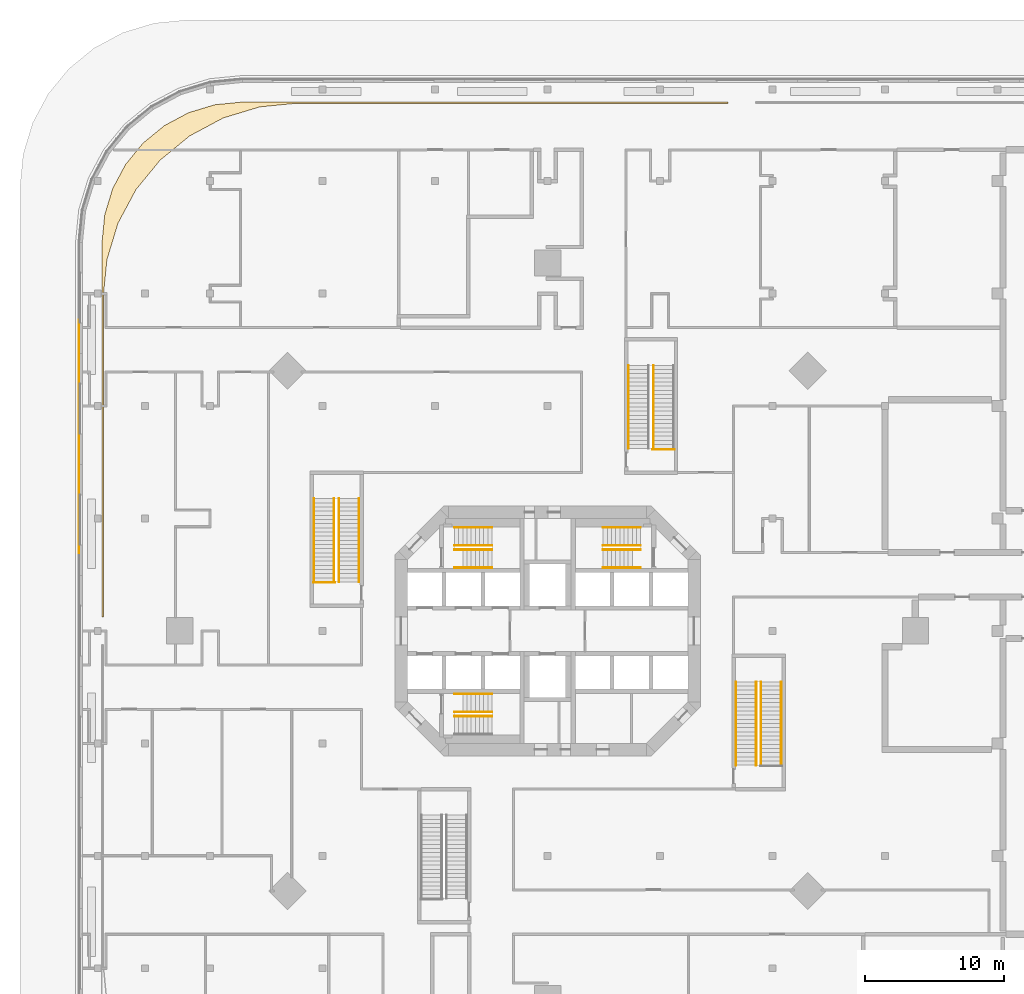
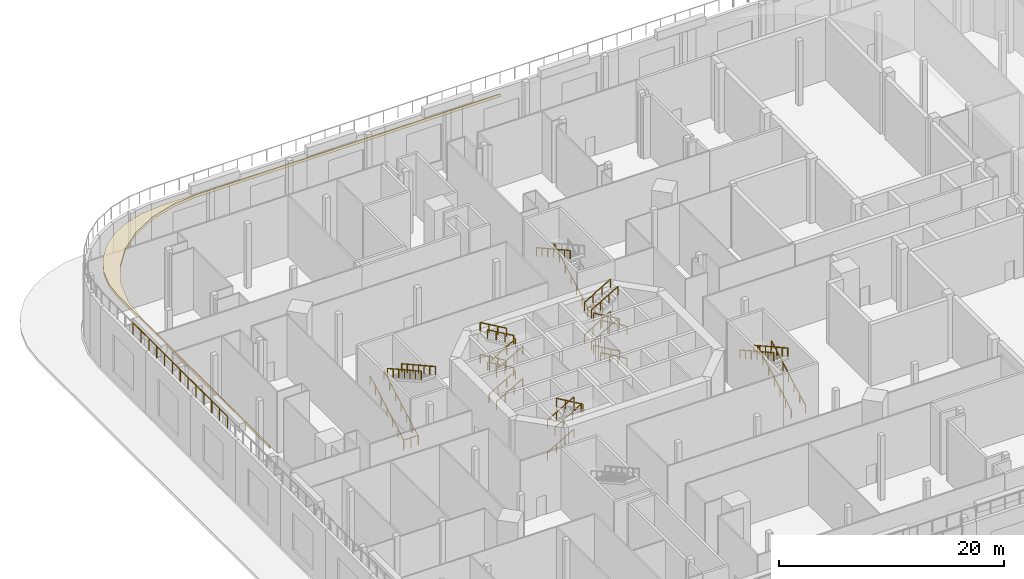
# One storey, part 19 of 21: 35 railings, 1 covering, 3 elements without a shape of their own.
"""IFC4 building model written with IfcOpenShell, lengths in metres."""

import ifcopenshell
import ifcopenshell.guid

model = None  # the IFC model being written
_history = None  # IfcOwnerHistory: only IFC2X3 demands one
_inside = {}  # id of a spatial element -> (the spatial element, [elements in it])
_under = {}  # id of a project, library or spatial element -> (it, [spatial elements below it])
_declared = {}  # id of a project -> (the project, [libraries it declares])
_typed = {}  # id of a type object -> (the type object, [elements of that type])
_made_of = {}  # id of a material, layer set ... -> (it, [elements and type objects made of it])


def new_model(schema):
    """Start an empty IFC model of exactly this schema.

    Asked for "IFC4X3", IfcOpenShell would pick the latest addendum, in which some entities
    have other attributes; the version numbers below select the first issue.
    IFC2X3 requires an IfcOwnerHistory on every rooted entity: one is made here for all.
    """
    global model, _history
    if schema == "IFC4X3":
        model = ifcopenshell.file(schema_version=(4, 3, 0, 0))
    else:
        model = ifcopenshell.file(schema=schema)
    _inside.clear()
    _under.clear()
    _declared.clear()
    _typed.clear()
    _made_of.clear()
    _history = None
    if model.schema == "IFC2X3":
        org = make("IfcOrganization", Name="unknown")
        user = make(
            "IfcPersonAndOrganization",
            ThePerson=make("IfcPerson", FamilyName="unknown"),
            TheOrganization=org,
        )
        app = make(
            "IfcApplication",
            ApplicationDeveloper=org,
            Version="unknown",
            ApplicationFullName="unknown",
            ApplicationIdentifier="unknown",
        )
        _history = make(
            "IfcOwnerHistory",
            OwningUser=user,
            OwningApplication=app,
            ChangeAction="ADDED",
            CreationDate=0,
        )
    return model


def make(cls, **values):
    """One entity of the class cls with the attributes given. An attribute that is None is left unset."""
    return model.create_entity(
        cls, **{name: value for name, value in values.items() if value is not None}
    )


def rooted(cls, **values):
    """An entity with a GlobalId (a new one), such as an element, a storey or a relation."""
    return make(cls, GlobalId=ifcopenshell.guid.new(), OwnerHistory=_history, **values)


def si_unit(unit_type, name, prefix=None):
    """IfcSIUnit, for example si_unit("LENGTHUNIT", "METRE", prefix="MILLI")."""
    return make("IfcSIUnit", UnitType=unit_type, Prefix=prefix, Name=name)


def assignment(units):
    """IfcUnitAssignment: the units of a project."""
    return None if units is None else make("IfcUnitAssignment", Units=units)


def point(xyz):
    """IfcCartesianPoint."""
    return None if xyz is None else make("IfcCartesianPoint", Coordinates=xyz)


def direction(xyz):
    """IfcDirection."""
    return None if xyz is None else make("IfcDirection", DirectionRatios=xyz)


def frame(location, z_axis=None, x_axis=None):
    """IfcAxis2Placement3D, a coordinate frame: its origin and axes. An axis left out is left unset."""
    return make(
        "IfcAxis2Placement3D",
        Location=point(location),
        Axis=direction(z_axis),
        RefDirection=direction(x_axis),
    )


def frame_2d(location, x_axis=None):
    """IfcAxis2Placement2D, a coordinate frame in the plane: its origin and x axis."""
    return make(
        "IfcAxis2Placement2D", Location=point(location), RefDirection=direction(x_axis)
    )


def origin():
    """The frame at (0, 0, 0) with its axes left unset."""
    return frame((0.0, 0.0, 0.0))


def origin_2d():
    """The frame at (0, 0) in the plane with its x axis left unset."""
    return frame_2d((0.0, 0.0))


def place(relative_to, where):
    """IfcLocalPlacement: puts the frame where relative to a parent placement (None: the world)."""
    return make(
        "IfcLocalPlacement", PlacementRelTo=relative_to, RelativePlacement=where
    )


def context(
    kind, dimensions, precision=None, world=None, true_north=None, identifier=None
):
    """IfcGeometricRepresentationContext, for example the 3D "Model" context."""
    return make(
        "IfcGeometricRepresentationContext",
        ContextIdentifier=identifier,
        ContextType=kind,
        CoordinateSpaceDimension=dimensions,
        Precision=precision,
        WorldCoordinateSystem=world,
        TrueNorth=true_north,
    )


def subcontext(parent, identifier, kind, view, scale=None):
    """IfcGeometricRepresentationSubContext, for example "Body" below "Model"."""
    return make(
        "IfcGeometricRepresentationSubContext",
        ContextIdentifier=identifier,
        ContextType=kind,
        ParentContext=parent,
        TargetScale=scale,
        TargetView=view,
    )


def project(units=None, contexts=None):
    """IfcProject with its units and contexts."""
    return rooted(
        "IfcProject",
        Name="project",
        RepresentationContexts=contexts,
        UnitsInContext=assignment(units),
    )


def spatial(cls, under=None, at=None, **own):
    """A site, building, storey or space (cls), placed at a placement, below another one or the project."""
    s = rooted(cls, ObjectPlacement=at, **own)
    if under is not None:
        _under.setdefault(under.id(), (under, []))[1].append(s)
    return s


def polyline(points):
    """IfcPolyline through the points."""
    return make("IfcPolyline", Points=[point(p) for p in points])


def profile(cls, at=None, kind="AREA", **sizes):
    """A parametric profile (cls). Its sizes go by their IFC names, for example OverallWidth=200.0."""
    return make(cls, ProfileType=kind, Position=at, **sizes)


def rectangle(**sizes):
    """IfcRectangleProfileDef."""
    return profile("IfcRectangleProfileDef", **sizes)


def outline(outer, holes=None, kind="AREA"):
    """IfcArbitraryClosedProfileDef: a profile drawn as a closed curve; with holes, ...WithVoids."""
    if holes is None:
        return make("IfcArbitraryClosedProfileDef", ProfileType=kind, OuterCurve=outer)
    return make(
        "IfcArbitraryProfileDefWithVoids",
        ProfileType=kind,
        OuterCurve=outer,
        InnerCurves=holes,
    )


def extrude(swept, where, along, depth):
    """IfcExtrudedAreaSolid: the profile swept, set in the frame where, extruded along a direction by depth."""
    return make(
        "IfcExtrudedAreaSolid",
        SweptArea=swept,
        Position=where,
        ExtrudedDirection=direction(along),
        Depth=depth,
    )


def shape(context_of_items, identifier, shape_type, items):
    """IfcShapeRepresentation: the items that make up one representation, for example the "Body"."""
    return make(
        "IfcShapeRepresentation",
        ContextOfItems=context_of_items,
        RepresentationIdentifier=identifier,
        RepresentationType=shape_type,
        Items=items,
    )


def material(Name=None, Category=None):
    """IfcMaterial."""
    return make("IfcMaterial", Name=Name, Category=Category)


def layer(
    of_material, thickness, ventilated=None, Name=None, Category=None, Priority=None
):
    """IfcMaterialLayer: one layer of a wall or slab, of a material (None: an air gap)."""
    return make(
        "IfcMaterialLayer",
        Material=of_material,
        LayerThickness=thickness,
        IsVentilated=ventilated,
        Name=Name,
        Category=Category,
        Priority=Priority,
    )


def layer_set(layers, Name=None):
    """IfcMaterialLayerSet."""
    return make("IfcMaterialLayerSet", MaterialLayers=layers, LayerSetName=Name)


def made_of(thing, what):
    """Note that an element or type object is made of a material, layer set ...; save() writes the relation."""
    if what is not None:
        _made_of.setdefault(what.id(), (what, []))[1].append(thing)
    return thing


def type_object(cls, material=None, **own):
    """A type object (cls), such as IfcWallType, which elements share."""
    return made_of(rooted(cls, **own), material)


def element(
    cls,
    number,
    at=None,
    inside=None,
    cuts=None,
    type_object=None,
    material=None,
    context=None,
    identifier="Body",
    shape_type=None,
    held_by="IfcProductDefinitionShape",
    body=None,
    shapes=None,
    **own,
):
    """One element of the class cls, such as IfcWall. Its Tag is "e" and its number.

    at: its placement. inside: the storey or other place that contains it. cuts: it is an
    opening in that element (IfcRelVoidsElement). A single representation is given by context,
    identifier, shape_type and body (its items); several are given by shapes. held_by: the class
    of the entity that holds the representations. save() writes the other relations.
    """
    e = rooted(cls, Tag="e%d" % number, ObjectPlacement=at, **own)
    if body is not None:
        shapes = [shape(context, identifier, shape_type, body)]
    if shapes is not None:
        e.Representation = make(held_by, Representations=shapes)
    if inside is not None:
        _inside.setdefault(inside.id(), (inside, []))[1].append(e)
    if cuts is not None:
        rooted(
            "IfcRelVoidsElement", RelatingBuildingElement=cuts, RelatedOpeningElement=e
        )
    if type_object is not None:
        _typed.setdefault(type_object.id(), (type_object, []))[1].append(e)
    return made_of(e, material)


def aggregate(whole, parts):
    """IfcRelAggregates: a whole, such as a stair, and the parts it consists of."""
    return rooted("IfcRelAggregates", RelatingObject=whole, RelatedObjects=parts)


def save(model, path):
    """Write the relations noted so far, then the file.

    IfcRelAggregates (storeys below a building ...), IfcRelContainedInSpatialStructure (elements
    in a storey), IfcRelDefinesByType, IfcRelAssociatesMaterial and IfcRelDeclares: one each for
    every whole, place, type object, material and project.
    """
    for whole, parts in _under.values():
        aggregate(whole, parts)
    for where, things in _inside.values():
        rooted(
            "IfcRelContainedInSpatialStructure",
            RelatedElements=things,
            RelatingStructure=where,
        )
    for kind, things in _typed.values():
        rooted("IfcRelDefinesByType", RelatedObjects=things, RelatingType=kind)
    for what, things in _made_of.values():
        rooted("IfcRelAssociatesMaterial", RelatedObjects=things, RelatingMaterial=what)
    for by, libraries in _declared.values():
        rooted("IfcRelDeclares", RelatingContext=by, RelatedDefinitions=libraries)
    model.write(path)


model = new_model("IFC4")

# Units and contexts
model_context = context("Model", 3, precision=1e-05, world=origin(), true_north=direction((0.0, 1.0)))
body_context = subcontext(model_context, "Body", "Model", "MODEL_VIEW")
ifc_project = project(units=[si_unit("LENGTHUNIT", "METRE"), si_unit("AREAUNIT", "SQUARE_METRE"), si_unit("VOLUMEUNIT", "CUBIC_METRE"), si_unit("PLANEANGLEUNIT", "RADIAN"), si_unit("MASSUNIT", "GRAM", prefix="KILO")], contexts=[model_context])

# Site, building, storey
site_placement = place(None, origin())
site = spatial("IfcSite", under=ifc_project, at=site_placement, CompositionType="ELEMENT")
building_placement = place(site_placement, origin())
building = spatial("IfcBuilding", under=site, at=building_placement, Name="Torre Triforio", CompositionType="ELEMENT")
storey_placement = place(building_placement, frame((0.0, 0.0, 6.0)))
storey = spatial("IfcBuildingStorey", under=building, at=storey_placement, Name="L01", CompositionType="ELEMENT", Elevation=6.0)

# Railings
ifc_material_1 = material(Name="Stainless steel AISI 316", Category="steel")
railing_type_1 = type_object("IfcRailingType", Name="HANDRAIL 920", PredefinedType="HANDRAIL", material=ifc_material_1)
for number, where, name in (
    (1, (-6.699951171875, 4.550048828125, 0.175048828125), "Handrail ST1"),
    (2, (-6.699951171875, 5.85009765625, 0.175048828125), "Handrail ST1"),
):
    element("IfcRailing", number, at=place(storey_placement, frame(where)), inside=storey, type_object=railing_type_1, Name=name, PredefinedType="HANDRAIL", context=body_context, shape_type="SweptSolid", body=[
        extrude(rectangle(XDim=0.048095703125, YDim=0.048095703125, at=origin_2d()), frame((0.0, 0.0, 0.89599609375), z_axis=(0.863781733769, 0.0, 0.503866169142), x_axis=(0.0, 1.0, 0.0)), (0.0, 0.0, 1.0), 3.125732421875),
        extrude(rectangle(XDim=0.0419921875, YDim=0.0419921875, at=origin_2d()), origin(), (0.0, 0.0, 1.0), 0.871826171875),
        extrude(rectangle(XDim=0.0419921875, YDim=0.0419921875, at=origin_2d()), frame((0.89990234375, 0.0, 0.52490234375)), (0.0, 0.0, 1.0), 0.871826171875),
        extrude(rectangle(XDim=0.0419921875, YDim=0.0419921875, at=origin_2d()), frame((1.800048828125, 0.0, 1.050048828125)), (0.0, 0.0, 1.0), 0.871826171875),
        extrude(rectangle(XDim=0.0419921875, YDim=0.0419921875, at=origin_2d()), frame((2.699951171875, 0.0, 1.574951171875)), (0.0, 0.0, 1.0), 0.871826171875),
    ])
for number, where, name in (
    (3, (-4.0, 7.449951171875, 1.925048828125), "Handrail ST1"),
    (4, (-4.0, 6.14990234375, 1.925048828125), "Handrail ST1"),
):
    element("IfcRailing", number, at=place(storey_placement, frame(where)), inside=storey, type_object=railing_type_1, Name=name, PredefinedType="HANDRAIL", context=body_context, shape_type="SweptSolid", body=[
        extrude(rectangle(XDim=0.048095703125, YDim=0.048095703125, at=origin_2d()), frame((0.0, 0.0, 0.89599609375), z_axis=(-0.863781733769, 0.0, 0.503866169142), x_axis=(0.0, -1.0, 0.0)), (0.0, 0.0, 1.0), 3.125732421875),
        extrude(rectangle(XDim=0.0419921875, YDim=0.0419921875, at=origin_2d()), origin(), (0.0, 0.0, 1.0), 0.871826171875),
        extrude(rectangle(XDim=0.0419921875, YDim=0.0419921875, at=origin_2d()), frame((-0.89990234375, 0.0, 0.52490234375)), (0.0, 0.0, 1.0), 0.871826171875),
        extrude(rectangle(XDim=0.0419921875, YDim=0.0419921875, at=origin_2d()), frame((-1.800048828125, 0.0, 1.050048828125)), (0.0, 0.0, 1.0), 0.871826171875),
        extrude(rectangle(XDim=0.0419921875, YDim=0.0419921875, at=origin_2d()), frame((-2.699951171875, 0.0, 1.574951171875)), (0.0, 0.0, 1.0), 0.871826171875),
    ])
for number, where, name in (
    (5, (-6.699951171875, 4.550048828125, 3.675048828125), "Handrail ST1"),
    (6, (-6.699951171875, 5.85009765625, 3.675048828125), "Handrail ST1"),
):
    element("IfcRailing", number, at=place(storey_placement, frame(where)), inside=storey, type_object=railing_type_1, Name=name, PredefinedType="HANDRAIL", context=body_context, shape_type="SweptSolid", body=[
        extrude(rectangle(XDim=0.048095703125, YDim=0.048095703125, at=origin_2d()), frame((0.0, 0.0, 0.89599609375), z_axis=(0.863781733769, 0.0, 0.503866169142), x_axis=(0.0, 1.0, 0.0)), (0.0, 0.0, 1.0), 3.125732421875),
        extrude(rectangle(XDim=0.0419921875, YDim=0.0419921875, at=origin_2d()), origin(), (0.0, 0.0, 1.0), 0.871826171875),
        extrude(rectangle(XDim=0.0419921875, YDim=0.0419921875, at=origin_2d()), frame((0.89990234375, 0.0, 0.52490234375)), (0.0, 0.0, 1.0), 0.871826171875),
        extrude(rectangle(XDim=0.0419921875, YDim=0.0419921875, at=origin_2d()), frame((1.800048828125, 0.0, 1.050048828125)), (0.0, 0.0, 1.0), 0.871826171875),
        extrude(rectangle(XDim=0.0419921875, YDim=0.0419921875, at=origin_2d()), frame((2.699951171875, 0.0, 1.574951171875)), (0.0, 0.0, 1.0), 0.871826171875),
    ])
for number, where, name in (
    (7, (-4.0, 7.449951171875, 5.425048828125), "Handrail ST1"),
    (8, (-4.0, 6.14990234375, 5.425048828125), "Handrail ST1"),
    (9, (6.699951171875, 4.550048828125, 0.175048828125), "Handrail ST2"),
    (10, (6.699951171875, 5.85009765625, 0.175048828125), "Handrail ST2"),
):
    element("IfcRailing", number, at=place(storey_placement, frame(where)), inside=storey, type_object=railing_type_1, Name=name, PredefinedType="HANDRAIL", context=body_context, shape_type="SweptSolid", body=[
        extrude(rectangle(XDim=0.048095703125, YDim=0.048095703125, at=origin_2d()), frame((0.0, 0.0, 0.89599609375), z_axis=(-0.863781733769, 0.0, 0.503866169142), x_axis=(0.0, -1.0, 0.0)), (0.0, 0.0, 1.0), 3.125732421875),
        extrude(rectangle(XDim=0.0419921875, YDim=0.0419921875, at=origin_2d()), origin(), (0.0, 0.0, 1.0), 0.871826171875),
        extrude(rectangle(XDim=0.0419921875, YDim=0.0419921875, at=origin_2d()), frame((-0.89990234375, 0.0, 0.52490234375)), (0.0, 0.0, 1.0), 0.871826171875),
        extrude(rectangle(XDim=0.0419921875, YDim=0.0419921875, at=origin_2d()), frame((-1.800048828125, 0.0, 1.050048828125)), (0.0, 0.0, 1.0), 0.871826171875),
        extrude(rectangle(XDim=0.0419921875, YDim=0.0419921875, at=origin_2d()), frame((-2.699951171875, 0.0, 1.574951171875)), (0.0, 0.0, 1.0), 0.871826171875),
    ])
for number, where, name in (
    (11, (4.0, 7.449951171875, 1.925048828125), "Handrail ST2"),
    (12, (4.0, 6.14990234375, 1.925048828125), "Handrail ST2"),
):
    element("IfcRailing", number, at=place(storey_placement, frame(where)), inside=storey, type_object=railing_type_1, Name=name, PredefinedType="HANDRAIL", context=body_context, shape_type="SweptSolid", body=[
        extrude(rectangle(XDim=0.048095703125, YDim=0.048095703125, at=origin_2d()), frame((0.0, 0.0, 0.89599609375), z_axis=(0.863781733769, 0.0, 0.503866169142), x_axis=(0.0, 1.0, 0.0)), (0.0, 0.0, 1.0), 3.125732421875),
        extrude(rectangle(XDim=0.0419921875, YDim=0.0419921875, at=origin_2d()), origin(), (0.0, 0.0, 1.0), 0.871826171875),
        extrude(rectangle(XDim=0.0419921875, YDim=0.0419921875, at=origin_2d()), frame((0.89990234375, 0.0, 0.52490234375)), (0.0, 0.0, 1.0), 0.871826171875),
        extrude(rectangle(XDim=0.0419921875, YDim=0.0419921875, at=origin_2d()), frame((1.800048828125, 0.0, 1.050048828125)), (0.0, 0.0, 1.0), 0.871826171875),
        extrude(rectangle(XDim=0.0419921875, YDim=0.0419921875, at=origin_2d()), frame((2.699951171875, 0.0, 1.574951171875)), (0.0, 0.0, 1.0), 0.871826171875),
    ])
for number, where, name in (
    (13, (6.699951171875, 4.550048828125, 3.675048828125), "Handrail ST2"),
    (14, (6.699951171875, 5.85009765625, 3.675048828125), "Handrail ST2"),
):
    element("IfcRailing", number, at=place(storey_placement, frame(where)), inside=storey, type_object=railing_type_1, Name=name, PredefinedType="HANDRAIL", context=body_context, shape_type="SweptSolid", body=[
        extrude(rectangle(XDim=0.048095703125, YDim=0.048095703125, at=origin_2d()), frame((0.0, 0.0, 0.89599609375), z_axis=(-0.863781733769, 0.0, 0.503866169142), x_axis=(0.0, -1.0, 0.0)), (0.0, 0.0, 1.0), 3.125732421875),
        extrude(rectangle(XDim=0.0419921875, YDim=0.0419921875, at=origin_2d()), origin(), (0.0, 0.0, 1.0), 0.871826171875),
        extrude(rectangle(XDim=0.0419921875, YDim=0.0419921875, at=origin_2d()), frame((-0.89990234375, 0.0, 0.52490234375)), (0.0, 0.0, 1.0), 0.871826171875),
        extrude(rectangle(XDim=0.0419921875, YDim=0.0419921875, at=origin_2d()), frame((-1.800048828125, 0.0, 1.050048828125)), (0.0, 0.0, 1.0), 0.871826171875),
        extrude(rectangle(XDim=0.0419921875, YDim=0.0419921875, at=origin_2d()), frame((-2.699951171875, 0.0, 1.574951171875)), (0.0, 0.0, 1.0), 0.871826171875),
    ])
for number, where, name in (
    (15, (4.0, 7.449951171875, 5.425048828125), "Handrail ST2"),
    (16, (4.0, 6.14990234375, 5.425048828125), "Handrail ST2"),
    (17, (-6.699951171875, -4.550048828125, 0.175048828125), "Handrail ST3"),
    (18, (-6.699951171875, -4.550048828125, 3.675048828125), "Handrail ST3"),
    (19, (-6.699951171875, -5.85009765625, 3.675048828125), "Handrail ST3"),
):
    element("IfcRailing", number, at=place(storey_placement, frame(where)), inside=storey, type_object=railing_type_1, Name=name, PredefinedType="HANDRAIL", context=body_context, shape_type="SweptSolid", body=[
        extrude(rectangle(XDim=0.048095703125, YDim=0.048095703125, at=origin_2d()), frame((0.0, 0.0, 0.89599609375), z_axis=(0.863781733769, 0.0, 0.503866169142), x_axis=(0.0, 1.0, 0.0)), (0.0, 0.0, 1.0), 3.125732421875),
        extrude(rectangle(XDim=0.0419921875, YDim=0.0419921875, at=origin_2d()), origin(), (0.0, 0.0, 1.0), 0.871826171875),
        extrude(rectangle(XDim=0.0419921875, YDim=0.0419921875, at=origin_2d()), frame((0.89990234375, 0.0, 0.52490234375)), (0.0, 0.0, 1.0), 0.871826171875),
        extrude(rectangle(XDim=0.0419921875, YDim=0.0419921875, at=origin_2d()), frame((1.800048828125, 0.0, 1.050048828125)), (0.0, 0.0, 1.0), 0.871826171875),
        extrude(rectangle(XDim=0.0419921875, YDim=0.0419921875, at=origin_2d()), frame((2.699951171875, 0.0, 1.574951171875)), (0.0, 0.0, 1.0), 0.871826171875),
    ])
railing_1_placement = place(storey_placement, frame((-4.0, -6.14990234375, 5.425048828125)))
element("IfcRailing", 20, at=railing_1_placement, inside=storey, type_object=railing_type_1, Name="Handrail ST3", PredefinedType="HANDRAIL", context=body_context, shape_type="SweptSolid", body=[
    extrude(rectangle(XDim=0.048095703125, YDim=0.048095703125, at=origin_2d()), frame((0.0, 0.0, 0.89599609375), z_axis=(-0.863781733769, 0.0, 0.503866169142), x_axis=(0.0, -1.0, 0.0)), (0.0, 0.0, 1.0), 3.125732421875),
    extrude(rectangle(XDim=0.0419921875, YDim=0.0419921875, at=origin_2d()), origin(), (0.0, 0.0, 1.0), 0.871826171875),
    extrude(rectangle(XDim=0.0419921875, YDim=0.0419921875, at=origin_2d()), frame((-0.89990234375, 0.0, 0.52490234375)), (0.0, 0.0, 1.0), 0.871826171875),
    extrude(rectangle(XDim=0.0419921875, YDim=0.0419921875, at=origin_2d()), frame((-1.800048828125, 0.0, 1.050048828125)), (0.0, 0.0, 1.0), 0.871826171875),
    extrude(rectangle(XDim=0.0419921875, YDim=0.0419921875, at=origin_2d()), frame((-2.699951171875, 0.0, 1.574951171875)), (0.0, 0.0, 1.0), 0.871826171875),
])

# Covering
ifc_material_2 = material(Name="Planted topsoil bed")
ifc_layer = layer(ifc_material_2, 0.300048828125)
ifc_layer_set = layer_set([ifc_layer], Name="Planted topsoil bed")
covering_type = type_object("IfcCoveringType", Name="Planted bed 300", PredefinedType="FLOORING", material=ifc_layer_set)
covering_placement = place(storey_placement, frame((0.0, 0.0, 7.0)))
element("IfcCovering", 21, at=covering_placement, inside=storey, type_object=covering_type, Name="Terrace T2 planted bed 2", PredefinedType="FLOORING", context=body_context, shape_type="SweptSolid", body=[
    extrude(outline(polyline([(-31.89697265625, 29.968505859375), (-31.32275390625, 31.861572265625), (-30.39013671875, 33.606201171875), (-29.13525390625, 35.13525390625), (-27.606201171875, 36.39013671875), (-25.861572265625, 37.32275390625), (-23.968505859375, 37.89697265625), (-21.90673828125, 38.10009765625), (13.0, 38.10009765625), (13.0, 38.0), (-18.098388671875, 38.0), (-20.733154296875, 37.740478515625), (-23.361328125, 36.943359375), (-25.783447265625, 35.648681640625), (-27.90625, 33.90625), (-29.648681640625, 31.783447265625), (-30.943359375, 29.361328125), (-31.740478515625, 26.733154296875), (-32.0, 24.098388671875), (-32.0, 1.0), (-32.10009765625, 1.0), (-32.10009765625, 27.90673828125), (-31.89697265625, 29.968505859375)])), origin(), (0.0, 0.0, 1.0), 0.300048828125),
])

# Stair, railings
ifc_material_3 = material(Name="Concrete C40", Category="concrete")
stair_type = type_object("IfcStairType", Name="Egress stair 1400 clear", PredefinedType="NOTDEFINED", material=ifc_material_3)
stair_1_placement = place(storey_placement, origin())
stair_1 = element("IfcStair", 22, at=stair_1_placement, inside=storey, type_object=stair_type, Name="Exit stair PS1 L01 to L02", PredefinedType="NOTDEFINED")
railing_type_2 = type_object("IfcRailingType", Name="Stair handrail 920", PredefinedType="HANDRAIL", material=ifc_material_1)
railing_2_placement = place(storey_placement, frame((-16.824951171875, 3.52490234375, 0.166748046875)))
railing_2 = element("IfcRailing", 23, at=railing_2_placement, type_object=railing_type_2, Name="Handrail PS1", PredefinedType="HANDRAIL", context=body_context, shape_type="SweptSolid", body=[
    extrude(rectangle(XDim=0.048095703125, YDim=0.048095703125, at=origin_2d()), frame((0.0, 0.0, 0.89599609375), z_axis=(0.0, 0.874162309531, 0.485633870932), x_axis=(-1.0, 0.0, 0.0)), (0.0, 0.0, 1.0), 6.86376953125),
    extrude(rectangle(XDim=0.0419921875, YDim=0.0419921875, at=origin_2d()), origin(), (0.0, 0.0, 1.0), 0.871826171875),
    extrude(rectangle(XDim=0.0419921875, YDim=0.0419921875, at=origin_2d()), frame((0.0, 1.0, 0.5556640625)), (0.0, 0.0, 1.0), 0.871826171875),
    extrude(rectangle(XDim=0.0419921875, YDim=0.0419921875, at=origin_2d()), frame((0.0, 2.0, 1.111083984375)), (0.0, 0.0, 1.0), 0.871826171875),
    extrude(rectangle(XDim=0.0419921875, YDim=0.0419921875, at=origin_2d()), frame((0.0, 3.0, 1.66650390625)), (0.0, 0.0, 1.0), 0.871826171875),
    extrude(rectangle(XDim=0.0419921875, YDim=0.0419921875, at=origin_2d()), frame((0.0, 4.0, 2.22216796875)), (0.0, 0.0, 1.0), 0.871826171875),
    extrude(rectangle(XDim=0.0419921875, YDim=0.0419921875, at=origin_2d()), frame((0.0, 5.0, 2.77783203125)), (0.0, 0.0, 1.0), 0.871826171875),
    extrude(rectangle(XDim=0.0419921875, YDim=0.0419921875, at=origin_2d()), frame((0.0, 6.0, 3.333251953125)), (0.0, 0.0, 1.0), 0.871826171875),
])
railing_3_placement = place(storey_placement, frame((-15.375, 3.52490234375, 0.166748046875)))
railing_3 = element("IfcRailing", 24, at=railing_3_placement, type_object=railing_type_2, Name="Handrail PS1", PredefinedType="HANDRAIL", context=body_context, shape_type="SweptSolid", body=[
    extrude(rectangle(XDim=0.048095703125, YDim=0.048095703125, at=origin_2d()), frame((0.0, 0.0, 0.89599609375), z_axis=(0.0, 0.874162309531, 0.485633870932), x_axis=(-1.0, 0.0, 0.0)), (0.0, 0.0, 1.0), 6.86376953125),
    extrude(rectangle(XDim=0.0419921875, YDim=0.0419921875, at=origin_2d()), origin(), (0.0, 0.0, 1.0), 0.871826171875),
    extrude(rectangle(XDim=0.0419921875, YDim=0.0419921875, at=origin_2d()), frame((0.0, 1.0, 0.5556640625)), (0.0, 0.0, 1.0), 0.871826171875),
    extrude(rectangle(XDim=0.0419921875, YDim=0.0419921875, at=origin_2d()), frame((0.0, 2.0, 1.111083984375)), (0.0, 0.0, 1.0), 0.871826171875),
    extrude(rectangle(XDim=0.0419921875, YDim=0.0419921875, at=origin_2d()), frame((0.0, 3.0, 1.66650390625)), (0.0, 0.0, 1.0), 0.871826171875),
    extrude(rectangle(XDim=0.0419921875, YDim=0.0419921875, at=origin_2d()), frame((0.0, 4.0, 2.22216796875)), (0.0, 0.0, 1.0), 0.871826171875),
    extrude(rectangle(XDim=0.0419921875, YDim=0.0419921875, at=origin_2d()), frame((0.0, 5.0, 2.77783203125)), (0.0, 0.0, 1.0), 0.871826171875),
    extrude(rectangle(XDim=0.0419921875, YDim=0.0419921875, at=origin_2d()), frame((0.0, 6.0, 3.333251953125)), (0.0, 0.0, 1.0), 0.871826171875),
])
railing_4_placement = place(storey_placement, frame((-15.02490234375, 9.52490234375, 3.666748046875)))
railing_4 = element("IfcRailing", 25, at=railing_4_placement, type_object=railing_type_2, Name="Handrail PS1", PredefinedType="HANDRAIL", context=body_context, shape_type="SweptSolid", body=[
    extrude(rectangle(XDim=0.048095703125, YDim=0.048095703125, at=origin_2d()), frame((0.0, 0.0, 0.89599609375), z_axis=(0.0, -0.874162309531, 0.485633870932), x_axis=(1.0, 0.0, 0.0)), (0.0, 0.0, 1.0), 6.86376953125),
    extrude(rectangle(XDim=0.0419921875, YDim=0.0419921875, at=origin_2d()), origin(), (0.0, 0.0, 1.0), 0.871826171875),
    extrude(rectangle(XDim=0.0419921875, YDim=0.0419921875, at=origin_2d()), frame((0.0, -1.0, 0.5556640625)), (0.0, 0.0, 1.0), 0.871826171875),
    extrude(rectangle(XDim=0.0419921875, YDim=0.0419921875, at=origin_2d()), frame((0.0, -2.0, 1.111083984375)), (0.0, 0.0, 1.0), 0.871826171875),
    extrude(rectangle(XDim=0.0419921875, YDim=0.0419921875, at=origin_2d()), frame((0.0, -3.0, 1.66650390625)), (0.0, 0.0, 1.0), 0.871826171875),
    extrude(rectangle(XDim=0.0419921875, YDim=0.0419921875, at=origin_2d()), frame((0.0, -4.0, 2.22216796875)), (0.0, 0.0, 1.0), 0.871826171875),
    extrude(rectangle(XDim=0.0419921875, YDim=0.0419921875, at=origin_2d()), frame((0.0, -5.0, 2.77783203125)), (0.0, 0.0, 1.0), 0.871826171875),
    extrude(rectangle(XDim=0.0419921875, YDim=0.0419921875, at=origin_2d()), frame((0.0, -6.0, 3.333251953125)), (0.0, 0.0, 1.0), 0.871826171875),
])
railing_5_placement = place(storey_placement, frame((-13.574951171875, 9.52490234375, 3.666748046875)))
railing_5 = element("IfcRailing", 26, at=railing_5_placement, type_object=railing_type_2, Name="Handrail PS1", PredefinedType="HANDRAIL", context=body_context, shape_type="SweptSolid", body=[
    extrude(rectangle(XDim=0.048095703125, YDim=0.048095703125, at=origin_2d()), frame((0.0, 0.0, 0.89599609375), z_axis=(0.0, -0.874162309531, 0.485633870932), x_axis=(1.0, 0.0, 0.0)), (0.0, 0.0, 1.0), 6.86376953125),
    extrude(rectangle(XDim=0.0419921875, YDim=0.0419921875, at=origin_2d()), origin(), (0.0, 0.0, 1.0), 0.871826171875),
    extrude(rectangle(XDim=0.0419921875, YDim=0.0419921875, at=origin_2d()), frame((0.0, -1.0, 0.5556640625)), (0.0, 0.0, 1.0), 0.871826171875),
    extrude(rectangle(XDim=0.0419921875, YDim=0.0419921875, at=origin_2d()), frame((0.0, -2.0, 1.111083984375)), (0.0, 0.0, 1.0), 0.871826171875),
    extrude(rectangle(XDim=0.0419921875, YDim=0.0419921875, at=origin_2d()), frame((0.0, -3.0, 1.66650390625)), (0.0, 0.0, 1.0), 0.871826171875),
    extrude(rectangle(XDim=0.0419921875, YDim=0.0419921875, at=origin_2d()), frame((0.0, -4.0, 2.22216796875)), (0.0, 0.0, 1.0), 0.871826171875),
    extrude(rectangle(XDim=0.0419921875, YDim=0.0419921875, at=origin_2d()), frame((0.0, -5.0, 2.77783203125)), (0.0, 0.0, 1.0), 0.871826171875),
    extrude(rectangle(XDim=0.0419921875, YDim=0.0419921875, at=origin_2d()), frame((0.0, -6.0, 3.333251953125)), (0.0, 0.0, 1.0), 0.871826171875),
])
aggregate(stair_1, [railing_2, railing_3, railing_4, railing_5])

stair_2_placement = place(storey_placement, origin())
stair_2 = element("IfcStair", 27, at=stair_2_placement, inside=storey, type_object=stair_type, Name="Exit stair PS2 L01 to L02", PredefinedType="NOTDEFINED")
railing_6_placement = place(storey_placement, frame((15.375, -9.675048828125, 0.166748046875)))
railing_6 = element("IfcRailing", 28, at=railing_6_placement, type_object=railing_type_2, Name="Handrail PS2", PredefinedType="HANDRAIL", context=body_context, shape_type="SweptSolid", body=[
    extrude(rectangle(XDim=0.048095703125, YDim=0.048095703125, at=origin_2d()), frame((0.0, 0.0, 0.89599609375), z_axis=(0.0, 0.874162309531, 0.485633870932), x_axis=(-1.0, 0.0, 0.0)), (0.0, 0.0, 1.0), 6.86376953125),
    extrude(rectangle(XDim=0.0419921875, YDim=0.0419921875, at=origin_2d()), origin(), (0.0, 0.0, 1.0), 0.871826171875),
    extrude(rectangle(XDim=0.0419921875, YDim=0.0419921875, at=origin_2d()), frame((0.0, 1.0, 0.5556640625)), (0.0, 0.0, 1.0), 0.871826171875),
    extrude(rectangle(XDim=0.0419921875, YDim=0.0419921875, at=origin_2d()), frame((0.0, 2.0, 1.111083984375)), (0.0, 0.0, 1.0), 0.871826171875),
    extrude(rectangle(XDim=0.0419921875, YDim=0.0419921875, at=origin_2d()), frame((0.0, 3.0, 1.66650390625)), (0.0, 0.0, 1.0), 0.871826171875),
    extrude(rectangle(XDim=0.0419921875, YDim=0.0419921875, at=origin_2d()), frame((0.0, 4.0, 2.22216796875)), (0.0, 0.0, 1.0), 0.871826171875),
    extrude(rectangle(XDim=0.0419921875, YDim=0.0419921875, at=origin_2d()), frame((0.0, 5.0, 2.77783203125)), (0.0, 0.0, 1.0), 0.871826171875),
    extrude(rectangle(XDim=0.0419921875, YDim=0.0419921875, at=origin_2d()), frame((0.0, 6.0, 3.333251953125)), (0.0, 0.0, 1.0), 0.871826171875),
])
railing_7_placement = place(storey_placement, frame((16.824951171875, -9.675048828125, 0.166748046875)))
railing_7 = element("IfcRailing", 29, at=railing_7_placement, type_object=railing_type_2, Name="Handrail PS2", PredefinedType="HANDRAIL", context=body_context, shape_type="SweptSolid", body=[
    extrude(rectangle(XDim=0.048095703125, YDim=0.048095703125, at=origin_2d()), frame((0.0, 0.0, 0.89599609375), z_axis=(0.0, 0.874162309531, 0.485633870932), x_axis=(-1.0, 0.0, 0.0)), (0.0, 0.0, 1.0), 6.86376953125),
    extrude(rectangle(XDim=0.0419921875, YDim=0.0419921875, at=origin_2d()), origin(), (0.0, 0.0, 1.0), 0.871826171875),
    extrude(rectangle(XDim=0.0419921875, YDim=0.0419921875, at=origin_2d()), frame((0.0, 1.0, 0.5556640625)), (0.0, 0.0, 1.0), 0.871826171875),
    extrude(rectangle(XDim=0.0419921875, YDim=0.0419921875, at=origin_2d()), frame((0.0, 2.0, 1.111083984375)), (0.0, 0.0, 1.0), 0.871826171875),
    extrude(rectangle(XDim=0.0419921875, YDim=0.0419921875, at=origin_2d()), frame((0.0, 3.0, 1.66650390625)), (0.0, 0.0, 1.0), 0.871826171875),
    extrude(rectangle(XDim=0.0419921875, YDim=0.0419921875, at=origin_2d()), frame((0.0, 4.0, 2.22216796875)), (0.0, 0.0, 1.0), 0.871826171875),
    extrude(rectangle(XDim=0.0419921875, YDim=0.0419921875, at=origin_2d()), frame((0.0, 5.0, 2.77783203125)), (0.0, 0.0, 1.0), 0.871826171875),
    extrude(rectangle(XDim=0.0419921875, YDim=0.0419921875, at=origin_2d()), frame((0.0, 6.0, 3.333251953125)), (0.0, 0.0, 1.0), 0.871826171875),
])
railing_8_placement = place(storey_placement, frame((13.574951171875, -3.675048828125, 3.666748046875)))
railing_8 = element("IfcRailing", 30, at=railing_8_placement, type_object=railing_type_2, Name="Handrail PS2", PredefinedType="HANDRAIL", context=body_context, shape_type="SweptSolid", body=[
    extrude(rectangle(XDim=0.048095703125, YDim=0.048095703125, at=origin_2d()), frame((0.0, 0.0, 0.89599609375), z_axis=(0.0, -0.874162309531, 0.485633870932), x_axis=(1.0, 0.0, 0.0)), (0.0, 0.0, 1.0), 6.86376953125),
    extrude(rectangle(XDim=0.0419921875, YDim=0.0419921875, at=origin_2d()), origin(), (0.0, 0.0, 1.0), 0.871826171875),
    extrude(rectangle(XDim=0.0419921875, YDim=0.0419921875, at=origin_2d()), frame((0.0, -1.0, 0.5556640625)), (0.0, 0.0, 1.0), 0.871826171875),
    extrude(rectangle(XDim=0.0419921875, YDim=0.0419921875, at=origin_2d()), frame((0.0, -2.0, 1.111083984375)), (0.0, 0.0, 1.0), 0.871826171875),
    extrude(rectangle(XDim=0.0419921875, YDim=0.0419921875, at=origin_2d()), frame((0.0, -3.0, 1.66650390625)), (0.0, 0.0, 1.0), 0.871826171875),
    extrude(rectangle(XDim=0.0419921875, YDim=0.0419921875, at=origin_2d()), frame((0.0, -4.0, 2.22216796875)), (0.0, 0.0, 1.0), 0.871826171875),
    extrude(rectangle(XDim=0.0419921875, YDim=0.0419921875, at=origin_2d()), frame((0.0, -5.0, 2.77783203125)), (0.0, 0.0, 1.0), 0.871826171875),
    extrude(rectangle(XDim=0.0419921875, YDim=0.0419921875, at=origin_2d()), frame((0.0, -6.0, 3.333251953125)), (0.0, 0.0, 1.0), 0.871826171875),
])
railing_9_placement = place(storey_placement, frame((15.02490234375, -3.675048828125, 3.666748046875)))
railing_9 = element("IfcRailing", 31, at=railing_9_placement, type_object=railing_type_2, Name="Handrail PS2", PredefinedType="HANDRAIL", context=body_context, shape_type="SweptSolid", body=[
    extrude(rectangle(XDim=0.048095703125, YDim=0.048095703125, at=origin_2d()), frame((0.0, 0.0, 0.89599609375), z_axis=(0.0, -0.874162309531, 0.485633870932), x_axis=(1.0, 0.0, 0.0)), (0.0, 0.0, 1.0), 6.86376953125),
    extrude(rectangle(XDim=0.0419921875, YDim=0.0419921875, at=origin_2d()), origin(), (0.0, 0.0, 1.0), 0.871826171875),
    extrude(rectangle(XDim=0.0419921875, YDim=0.0419921875, at=origin_2d()), frame((0.0, -1.0, 0.5556640625)), (0.0, 0.0, 1.0), 0.871826171875),
    extrude(rectangle(XDim=0.0419921875, YDim=0.0419921875, at=origin_2d()), frame((0.0, -2.0, 1.111083984375)), (0.0, 0.0, 1.0), 0.871826171875),
    extrude(rectangle(XDim=0.0419921875, YDim=0.0419921875, at=origin_2d()), frame((0.0, -3.0, 1.66650390625)), (0.0, 0.0, 1.0), 0.871826171875),
    extrude(rectangle(XDim=0.0419921875, YDim=0.0419921875, at=origin_2d()), frame((0.0, -4.0, 2.22216796875)), (0.0, 0.0, 1.0), 0.871826171875),
    extrude(rectangle(XDim=0.0419921875, YDim=0.0419921875, at=origin_2d()), frame((0.0, -5.0, 2.77783203125)), (0.0, 0.0, 1.0), 0.871826171875),
    extrude(rectangle(XDim=0.0419921875, YDim=0.0419921875, at=origin_2d()), frame((0.0, -6.0, 3.333251953125)), (0.0, 0.0, 1.0), 0.871826171875),
])
aggregate(stair_2, [railing_6, railing_7, railing_8, railing_9])

stair_3_placement = place(storey_placement, origin())
stair_3 = element("IfcStair", 32, at=stair_3_placement, inside=storey, type_object=stair_type, Name="Exit stair PS4 L01 to L02", PredefinedType="NOTDEFINED")
railing_10_placement = place(storey_placement, frame((7.625, 13.125, 0.166748046875)))
railing_10 = element("IfcRailing", 33, at=railing_10_placement, type_object=railing_type_2, Name="Handrail PS4", PredefinedType="HANDRAIL", context=body_context, shape_type="SweptSolid", body=[
    extrude(rectangle(XDim=0.048095703125, YDim=0.048095703125, at=origin_2d()), frame((0.0, 0.0, 0.89599609375), z_axis=(0.0, 0.874162309531, 0.485633870932), x_axis=(-1.0, 0.0, 0.0)), (0.0, 0.0, 1.0), 6.86376953125),
    extrude(rectangle(XDim=0.0419921875, YDim=0.0419921875, at=origin_2d()), origin(), (0.0, 0.0, 1.0), 0.871826171875),
    extrude(rectangle(XDim=0.0419921875, YDim=0.0419921875, at=origin_2d()), frame((0.0, 1.0, 0.5556640625)), (0.0, 0.0, 1.0), 0.871826171875),
    extrude(rectangle(XDim=0.0419921875, YDim=0.0419921875, at=origin_2d()), frame((0.0, 2.0, 1.111083984375)), (0.0, 0.0, 1.0), 0.871826171875),
    extrude(rectangle(XDim=0.0419921875, YDim=0.0419921875, at=origin_2d()), frame((0.0, 3.0, 1.66650390625)), (0.0, 0.0, 1.0), 0.871826171875),
    extrude(rectangle(XDim=0.0419921875, YDim=0.0419921875, at=origin_2d()), frame((0.0, 4.0, 2.22216796875)), (0.0, 0.0, 1.0), 0.871826171875),
    extrude(rectangle(XDim=0.0419921875, YDim=0.0419921875, at=origin_2d()), frame((0.0, 5.0, 2.77783203125)), (0.0, 0.0, 1.0), 0.871826171875),
    extrude(rectangle(XDim=0.0419921875, YDim=0.0419921875, at=origin_2d()), frame((0.0, 6.0, 3.333251953125)), (0.0, 0.0, 1.0), 0.871826171875),
])
railing_11_placement = place(storey_placement, frame((5.824951171875, 19.125, 3.666748046875)))
railing_11 = element("IfcRailing", 34, at=railing_11_placement, type_object=railing_type_2, Name="Handrail PS4", PredefinedType="HANDRAIL", context=body_context, shape_type="SweptSolid", body=[
    extrude(rectangle(XDim=0.048095703125, YDim=0.048095703125, at=origin_2d()), frame((0.0, 0.0, 0.89599609375), z_axis=(0.0, -0.874162309531, 0.485633870932), x_axis=(1.0, 0.0, 0.0)), (0.0, 0.0, 1.0), 6.86376953125),
    extrude(rectangle(XDim=0.0419921875, YDim=0.0419921875, at=origin_2d()), origin(), (0.0, 0.0, 1.0), 0.871826171875),
    extrude(rectangle(XDim=0.0419921875, YDim=0.0419921875, at=origin_2d()), frame((0.0, -1.0, 0.5556640625)), (0.0, 0.0, 1.0), 0.871826171875),
    extrude(rectangle(XDim=0.0419921875, YDim=0.0419921875, at=origin_2d()), frame((0.0, -2.0, 1.111083984375)), (0.0, 0.0, 1.0), 0.871826171875),
    extrude(rectangle(XDim=0.0419921875, YDim=0.0419921875, at=origin_2d()), frame((0.0, -3.0, 1.66650390625)), (0.0, 0.0, 1.0), 0.871826171875),
    extrude(rectangle(XDim=0.0419921875, YDim=0.0419921875, at=origin_2d()), frame((0.0, -4.0, 2.22216796875)), (0.0, 0.0, 1.0), 0.871826171875),
    extrude(rectangle(XDim=0.0419921875, YDim=0.0419921875, at=origin_2d()), frame((0.0, -5.0, 2.77783203125)), (0.0, 0.0, 1.0), 0.871826171875),
    extrude(rectangle(XDim=0.0419921875, YDim=0.0419921875, at=origin_2d()), frame((0.0, -6.0, 3.333251953125)), (0.0, 0.0, 1.0), 0.871826171875),
])
aggregate(stair_3, [railing_10, railing_11])

# Railings
railing_type_3 = type_object("IfcRailingType", Name="Stair well guard 1100", PredefinedType="GUARDRAIL", material=ifc_material_1)
for number, where, name in (
    (35, (-16.875, 3.47509765625, 0.0), "Guard PS1 L01"),
    (36, (7.574951171875, 13.074951171875, 0.0), "Guard PS4 L01"),
):
    element("IfcRailing", number, at=place(storey_placement, frame(where)), inside=storey, type_object=railing_type_3, Name=name, PredefinedType="GUARDRAIL", context=body_context, shape_type="SweptSolid", body=[
        extrude(rectangle(XDim=0.048095703125, YDim=0.048095703125, at=origin_2d()), frame((0.0, 0.0, 1.076171875), z_axis=(1.0, 0.0, 0.0), x_axis=(0.0, 1.0, 0.0)), (0.0, 0.0, 1.0), 1.550048828125),
        extrude(rectangle(XDim=0.0419921875, YDim=0.0419921875, at=origin_2d()), origin(), (0.0, 0.0, 1.0), 1.052001953125),
        extrude(rectangle(XDim=0.0419921875, YDim=0.0419921875, at=origin_2d()), frame((0.77490234375, 0.0, 0.0)), (0.0, 0.0, 1.0), 1.052001953125),
        extrude(rectangle(XDim=0.0419921875, YDim=0.0419921875, at=origin_2d()), frame((1.550048828125, 0.0, 0.0)), (0.0, 0.0, 1.0), 1.052001953125),
    ])
railing_type_4 = type_object("IfcRailingType", Name="Terrace balustrade 1300", PredefinedType="BALUSTRADE", material=ifc_material_1)
railing_12_placement = place(storey_placement, frame((-33.75, 22.39013671875, 7.0)))
element("IfcRailing", 37, at=railing_12_placement, inside=storey, type_object=railing_type_4, Name="Terrace T2 balustrade 27.2", PredefinedType="BALUSTRADE", context=body_context, shape_type="SweptSolid", body=[
    extrude(rectangle(XDim=0.050048828125, YDim=0.050048828125, at=origin_2d()), frame((0.0, 0.0, 1.27490234375), z_axis=(0.0, -1.0, 0.0), x_axis=(1.0, 0.0, 0.0)), (0.0, 0.0, 1.0), 5.59765625),
    extrude(rectangle(XDim=0.0400390625, YDim=0.0400390625, at=origin_2d()), origin(), (0.0, 0.0, 1.0), 1.25),
    extrude(rectangle(XDim=0.0400390625, YDim=0.0400390625, at=origin_2d()), frame((0.0, -1.3994140625, 0.0)), (0.0, 0.0, 1.0), 1.25),
    extrude(rectangle(XDim=0.0400390625, YDim=0.0400390625, at=origin_2d()), frame((0.0, -2.798828125, 0.0)), (0.0, 0.0, 1.0), 1.25),
    extrude(rectangle(XDim=0.0400390625, YDim=0.0400390625, at=origin_2d()), frame((0.0, -4.1982421875, 0.0)), (0.0, 0.0, 1.0), 1.25),
    extrude(rectangle(XDim=0.0400390625, YDim=0.0400390625, at=origin_2d()), frame((0.0, -5.59765625, 0.0)), (0.0, 0.0, 1.0), 1.25),
])
railing_13_placement = place(storey_placement, frame((-33.75, 16.79248046875, 7.0)))
element("IfcRailing", 38, at=railing_13_placement, inside=storey, type_object=railing_type_4, Name="Terrace T2 balustrade 27.3", PredefinedType="BALUSTRADE", context=body_context, shape_type="SweptSolid", body=[
    extrude(rectangle(XDim=0.050048828125, YDim=0.050048828125, at=origin_2d()), frame((0.0, 0.0, 1.27490234375), z_axis=(0.0, -1.0, 0.0), x_axis=(1.0, 0.0, 0.0)), (0.0, 0.0, 1.0), 5.597412109375),
    extrude(rectangle(XDim=0.0400390625, YDim=0.0400390625, at=origin_2d()), origin(), (0.0, 0.0, 1.0), 1.25),
    extrude(rectangle(XDim=0.0400390625, YDim=0.0400390625, at=origin_2d()), frame((0.0, -1.3994140625, 0.0)), (0.0, 0.0, 1.0), 1.25),
    extrude(rectangle(XDim=0.0400390625, YDim=0.0400390625, at=origin_2d()), frame((0.0, -2.798828125, 0.0)), (0.0, 0.0, 1.0), 1.25),
    extrude(rectangle(XDim=0.0400390625, YDim=0.0400390625, at=origin_2d()), frame((0.0, -4.197998046875, 0.0)), (0.0, 0.0, 1.0), 1.25),
    extrude(rectangle(XDim=0.0400390625, YDim=0.0400390625, at=origin_2d()), frame((0.0, -5.597412109375, 0.0)), (0.0, 0.0, 1.0), 1.25),
])
railing_14_placement = place(storey_placement, frame((-33.75, 11.195068359375, 7.0)))
element("IfcRailing", 39, at=railing_14_placement, inside=storey, type_object=railing_type_4, Name="Terrace T2 balustrade 27.4", PredefinedType="BALUSTRADE", context=body_context, shape_type="SweptSolid", body=[
    extrude(rectangle(XDim=0.050048828125, YDim=0.050048828125, at=origin_2d()), frame((0.0, 0.0, 1.27490234375), z_axis=(0.0, -1.0, 0.0), x_axis=(1.0, 0.0, 0.0)), (0.0, 0.0, 1.0), 5.59765625),
    extrude(rectangle(XDim=0.0400390625, YDim=0.0400390625, at=origin_2d()), origin(), (0.0, 0.0, 1.0), 1.25),
    extrude(rectangle(XDim=0.0400390625, YDim=0.0400390625, at=origin_2d()), frame((0.0, -1.3994140625, 0.0)), (0.0, 0.0, 1.0), 1.25),
    extrude(rectangle(XDim=0.0400390625, YDim=0.0400390625, at=origin_2d()), frame((0.0, -2.798828125, 0.0)), (0.0, 0.0, 1.0), 1.25),
    extrude(rectangle(XDim=0.0400390625, YDim=0.0400390625, at=origin_2d()), frame((0.0, -4.1982421875, 0.0)), (0.0, 0.0, 1.0), 1.25),
    extrude(rectangle(XDim=0.0400390625, YDim=0.0400390625, at=origin_2d()), frame((0.0, -5.59765625, 0.0)), (0.0, 0.0, 1.0), 1.25),
])

save(model, "model.ifc")
